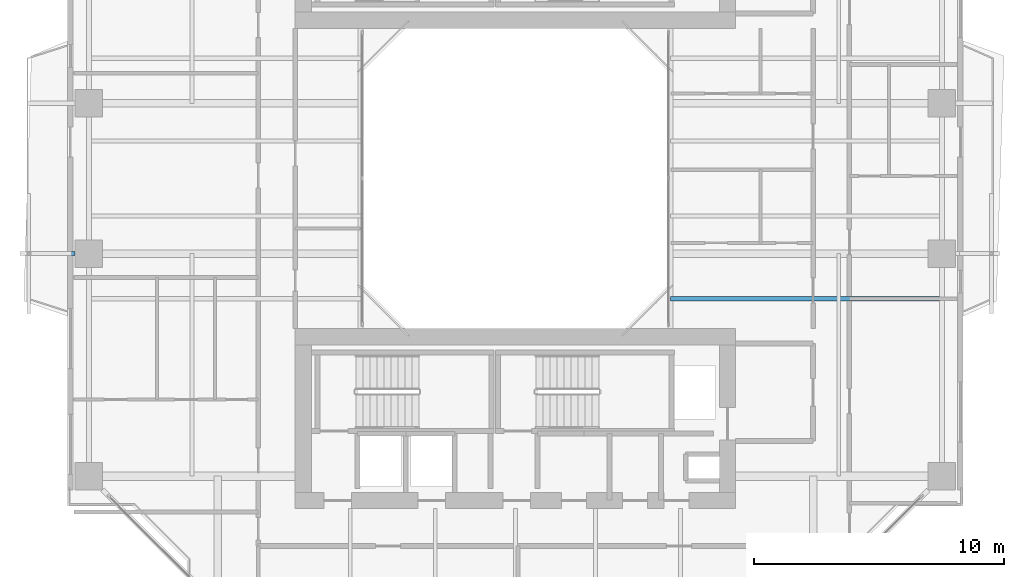
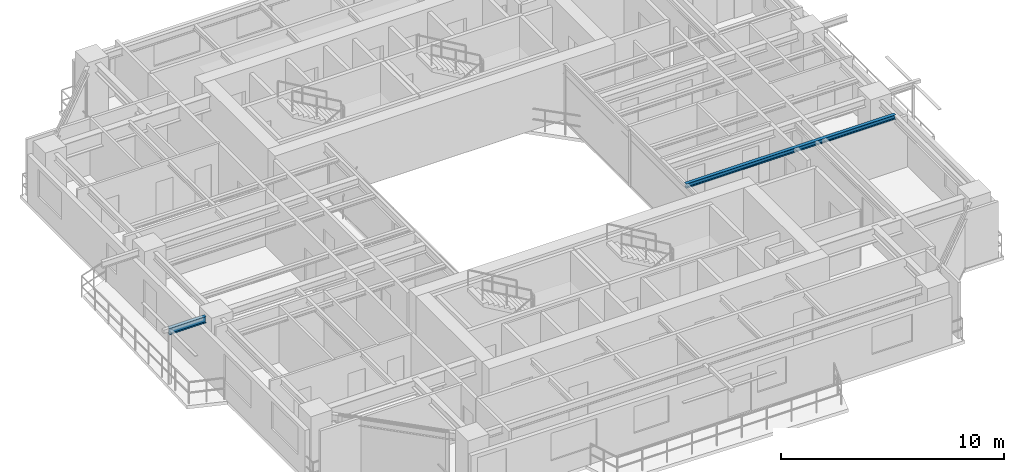
# One storey, part 3 of 17: 2 beams.
"""IFC4 building model written with IfcOpenShell, lengths in metres."""

from ifc_helpers import new_model, si_unit, direction, frame, origin, origin_2d, place, context, subcontext, project, spatial, i_section, extrude, source, transform, mapped, material, material_profile, profile_set, type_object, element, save


model = new_model("IFC4")

# Units and contexts
model_context = context("Model", 3, precision=1e-05, world=origin(), true_north=direction((0.0, 1.0)))
body_context = subcontext(model_context, "Body", "Model", "MODEL_VIEW")
ifc_project = project(units=[si_unit("LENGTHUNIT", "METRE"), si_unit("AREAUNIT", "SQUARE_METRE"), si_unit("VOLUMEUNIT", "CUBIC_METRE"), si_unit("PLANEANGLEUNIT", "RADIAN"), si_unit("MASSUNIT", "GRAM", prefix="KILO"), si_unit("THERMODYNAMICTEMPERATUREUNIT", "KELVIN"), si_unit("POWERUNIT", "WATT")], contexts=[model_context])

# Site, building, storey
site_placement = place(None, origin())
site = spatial("IfcSite", under=ifc_project, at=site_placement, CompositionType="ELEMENT")
building_placement = place(site_placement, origin())
building = spatial("IfcBuilding", under=site, at=building_placement, Name="Qiaomeng Ring Towers", CompositionType="ELEMENT")
storey_placement = place(building_placement, frame((0.0, 0.0, 129.5)))
storey = spatial("IfcBuildingStorey", under=building, at=storey_placement, Name="L37", CompositionType="ELEMENT", Elevation=129.5)

# Beams
ifc_material = material(Name="Steel Q355B", Category="steel")
ifc_material_profile_1 = material_profile(ifc_material, i_section(OverallWidth=0.175048828125, OverallDepth=0.243896484375, WebThickness=0.007080078125, FlangeThickness=0.010986328125, FilletRadius=0.01611328125, at=origin_2d()), Name="HM 244x175x7x11")
ifc_profile_set_1 = profile_set([ifc_material_profile_1], Name="Steel Q355B")
beam_type_1 = type_object("IfcBeamType", Name="STR-BM-HM244", PredefinedType="JOIST", material=ifc_profile_set_1)
shared_shape_1 = source(origin(), body_context, "Body", "SweptSolid", [
    extrude(i_section(OverallWidth=0.175048828125, OverallDepth=0.243896484375, WebThickness=0.007080078125, FlangeThickness=0.010986328125, FilletRadius=0.01611328125, at=origin_2d()), origin(), (0.0, 0.0, 1.0), 10.85009765625),
])
beam_1_placement = place(storey_placement, frame((25.199951171875, 18.199951171875, 2.947998046875), z_axis=(1.0, 0.0, 0.0), x_axis=(0.0, 1.0, 0.0)))
element("IfcBeam", 1, at=beam_1_placement, inside=storey, type_object=beam_type_1, Name="L37 beam STR-JST-L37-T1E-1", PredefinedType="JOIST", context=body_context, shape_type="MappedRepresentation", body=[
    mapped(shared_shape_1, transform((0.0, 0.0, 0.0), x_axis=(1.0, 0.0, 0.0), y_axis=(0.0, 1.0, 0.0), z_axis=(0.0, 0.0, 1.0), scale=1.0)),
])
ifc_material_profile_2 = material_profile(ifc_material, i_section(OverallWidth=0.175048828125, OverallDepth=0.35009765625, WebThickness=0.007080078125, FlangeThickness=0.010986328125, FilletRadius=0.013916015625, at=origin_2d()), Name="HN 350x175x7x11")
ifc_profile_set_2 = profile_set([ifc_material_profile_2], Name="Steel Q355B")
beam_type_2 = type_object("IfcBeamType", Name="STR-BM-HN350", PredefinedType="JOIST", material=ifc_profile_set_2)
shared_shape_2 = source(origin(), body_context, "Body", "SweptSolid", [
    extrude(i_section(OverallWidth=0.175048828125, OverallDepth=0.35009765625, WebThickness=0.007080078125, FlangeThickness=0.010986328125, FilletRadius=0.013916015625, at=origin_2d()), origin(), (0.0, 0.0, 1.0), 1.90087890625),
])
beam_2_placement = place(storey_placement, frame((-0.5, 20.0, 2.89501953125), z_axis=(1.0, 0.0, 0.0), x_axis=(0.0, 1.0, 0.0)))
element("IfcBeam", 2, at=beam_2_placement, inside=storey, type_object=beam_type_2, Name="L37 beam STR-BALBM-L37-W2", PredefinedType="JOIST", context=body_context, shape_type="MappedRepresentation", body=[
    mapped(shared_shape_2, transform((0.0, 0.0, 0.0), x_axis=(1.0, 0.0, 0.0), y_axis=(0.0, 1.0, 0.0), z_axis=(0.0, 0.0, 1.0), scale=1.0)),
])

save(model, "model.ifc")
